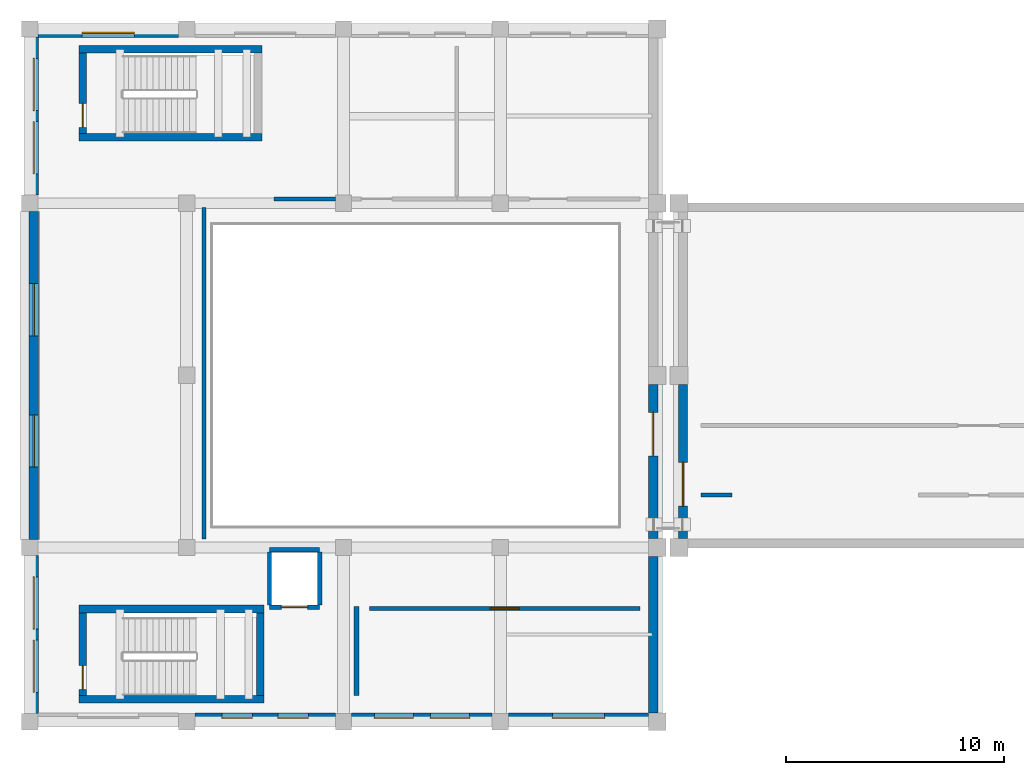
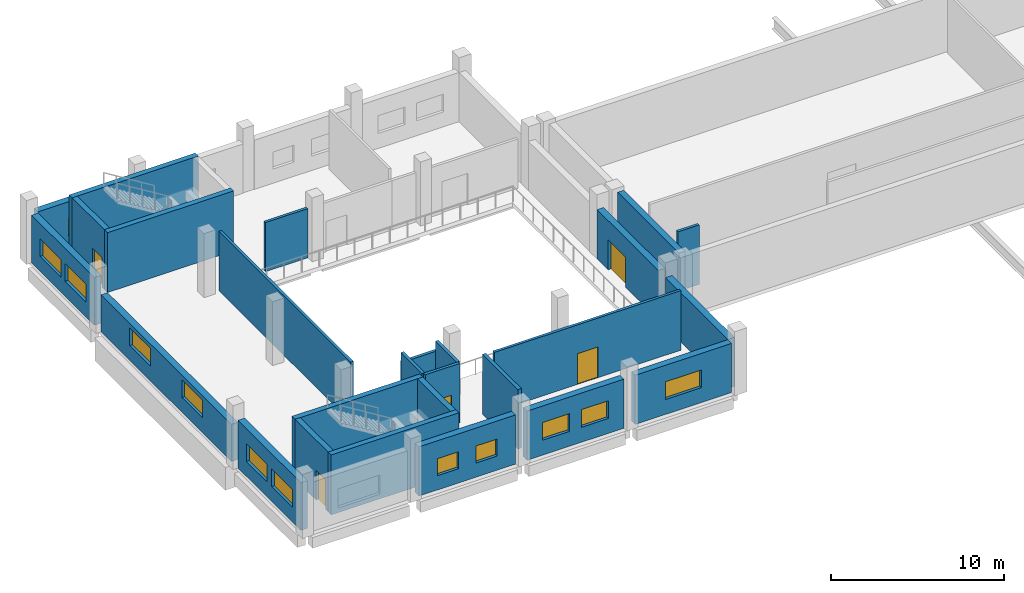
# One storey, part 3 of 7: 26 walls, 12 windows, 6 doors, 18 openings.
"""IFC4 building model written with IfcOpenShell, lengths in metres."""

from ifc_helpers import new_model, si_unit, direction, frame, frame_2d, origin, place, context, subcontext, project, spatial, rectangle, extrude, material, layer, layer_set, type_object, element, fill, save


model = new_model("IFC4")

# Units and contexts
model_context = context("Model", 3, precision=1e-05, world=origin(), true_north=direction((0.0, 1.0)))
body_context = subcontext(model_context, "Body", "Model", "MODEL_VIEW")
ifc_project = project(units=[si_unit("LENGTHUNIT", "METRE"), si_unit("AREAUNIT", "SQUARE_METRE"), si_unit("VOLUMEUNIT", "CUBIC_METRE"), si_unit("PLANEANGLEUNIT", "RADIAN"), si_unit("MASSUNIT", "GRAM", prefix="KILO")], contexts=[model_context])

# Site, building, storey
site_placement = place(None, origin())
site = spatial("IfcSite", under=ifc_project, at=site_placement, CompositionType="ELEMENT")
building_placement = place(site_placement, origin())
building = spatial("IfcBuilding", under=site, at=building_placement, Name="Kelarvand Opera House", CompositionType="ELEMENT")
storey_placement = place(building_placement, frame((0.0, 0.0, 24.0)))
storey = spatial("IfcBuildingStorey", under=building, at=storey_placement, Name="L05", CompositionType="ELEMENT", Elevation=24.0)

# Wall, opening, door
ifc_material_1 = material(Name="Concrete C35/45", Category="concrete")
ifc_layer_1 = layer(ifc_material_1, 0.39990234375, Name="Concrete C35/45", Category="concrete")
ifc_layer_set_1 = layer_set([ifc_layer_1], Name="Concrete C35/45")
wall_type_1 = type_object("IfcWallType", Name="Acoustic Brick-Travertine Double Wall 400", PredefinedType="SOLIDWALL", material=ifc_layer_set_1)
wall_1_placement = place(storey_placement, frame((89.179931640625, 55.010009765625, 0.0), z_axis=(0.0, 0.0, 1.0), x_axis=(0.0, 1.0, 0.0)))
wall_1 = element("IfcWall", 1, at=wall_1_placement, inside=storey, type_object=wall_type_1, Name="V1 L05 Exterior Wall EW-400 (173)", PredefinedType="SOLIDWALL", context=body_context, shape_type="SweptSolid", body=[
    extrude(rectangle(XDim=7.080078125, YDim=0.39990234375, at=frame_2d((3.5400390625, 0.0))), origin(), (0.0, 0.0, 1.0), 4.199951171875),
])
opening_1_placement = place(wall_1_placement, frame((1.489990234375, 0.0, 0.0)))
opening_1 = element("IfcOpeningElement", 2, at=opening_1_placement, cuts=wall_1, Name="Opening EX-200L", PredefinedType="OPENING", context=body_context, shape_type="SweptSolid", body=[
    extrude(rectangle(XDim=2.0, YDim=2.10009765625, at=frame_2d((1.0, 1.050048828125))), frame((0.0, 0.2099609375, 0.0), z_axis=(0.0, -1.0, 0.0), x_axis=(1.0, 0.0, 0.0)), (0.0, 0.0, 1.0), 0.419921875),
])
ifc_material_2 = material(Name="Thermally broken bronze-anodised aluminium and safety glass", Category="aluminium")
door_type_1 = type_object("IfcDoorType", Name="Protected Stair Double Final Exit Door 2000x2100", OperationType="NOTDEFINED", PredefinedType="DOOR", material=ifc_material_2)
door_1_placement = place(opening_1_placement, origin())
door_1 = element("IfcDoor", 3, at=door_1_placement, inside=storey, type_object=door_type_1, Name="V1 L05 Seismic Bridge Passage Door", OperationType="DOUBLE_DOOR_SINGLE_SWING", OverallHeight=2.10009765625, OverallWidth=2.0, PredefinedType="DOOR", context=body_context, shape_type="SweptSolid", body=[
    extrude(rectangle(XDim=2.0, YDim=2.10009765625, at=frame_2d((1.0, 1.050048828125))), frame((0.0, 0.02490234375, 0.0), z_axis=(0.0, -1.0, 0.0), x_axis=(1.0, 0.0, 0.0)), (0.0, 0.0, 1.0), 0.050048828125),
])
fill(opening_1, door_1)

# Walls
ifc_material_3 = material(Name="Concrete C40/50", Category="concrete")
ifc_layer_2 = layer(ifc_material_3, 0.35009765625, Name="Concrete C40/50", Category="concrete")
ifc_layer_set_2 = layer_set([ifc_layer_2], Name="Concrete C40/50")
wall_type_2 = type_object("IfcWallType", Name="Core Stair and Lift Shear Wall 350", PredefinedType="SHEAR", material=ifc_layer_set_2)
for number, where, z_axis, x_axis, name in (
    (4, (61.449951171875, 47.625, 0.0), (0.0, 0.0, 1.0), (1.0, 0.0, 0.0), "C2 Stair Core Shear Wall S L05"),
    (5, (69.949951171875, 51.77490234375, 0.0), (0.0, 0.0, 1.0), (-1.0, 0.0, 0.0), "C2 Stair Core Shear Wall N L05"),
):
    element("IfcWall", number, at=place(storey_placement, frame(where, z_axis=z_axis, x_axis=x_axis)), inside=storey, type_object=wall_type_2, Name=name, PredefinedType="SHEAR", context=body_context, shape_type="SweptSolid", body=[
        extrude(rectangle(XDim=8.5, YDim=0.35009765625, at=frame_2d((4.25, 0.0))), origin(), (0.0, 0.0, 1.0), 4.219970703125),
    ])

# Wall, opening, door
wall_2_placement = place(storey_placement, frame((61.625, 47.800048828125, 0.0), z_axis=(0.0, 0.0, 1.0), x_axis=(0.0, 1.0, 0.0)))
wall_2 = element("IfcWall", 6, at=wall_2_placement, inside=storey, type_object=wall_type_2, Name="C2 Stair Core Shear Wall W L05", PredefinedType="SHEAR", context=body_context, shape_type="SweptSolid", body=[
    extrude(rectangle(XDim=3.800048828125, YDim=0.35009765625, at=frame_2d((1.89990234375, 0.0))), origin(), (0.0, 0.0, 1.0), 4.219970703125),
])
opening_2_placement = place(wall_2_placement, frame((0.280029296875, 0.0, 0.0)))
opening_2 = element("IfcOpeningElement", 7, at=opening_2_placement, cuts=wall_2, Name="Opening FD-01", PredefinedType="OPENING", context=body_context, shape_type="SweptSolid", body=[
    extrude(rectangle(XDim=1.10009765625, YDim=2.080078125, at=frame_2d((0.550048828125, 1.0400390625))), frame((0.0, 0.18505859375, 0.0), z_axis=(0.0, -1.0, 0.0), x_axis=(1.0, 0.0, 0.0)), (0.0, 0.0, 1.0), 0.3701171875),
])
ifc_material_4 = material(Name="Fire-rated brushed stainless steel", Category="steel")
door_type_2 = type_object("IfcDoorType", Name="Steel Fire-Rated Stair and FF Lobby Door 1100x2080", OperationType="NOTDEFINED", PredefinedType="DOOR", material=ifc_material_4)
door_2_placement = place(opening_2_placement, origin())
door_2 = element("IfcDoor", 8, at=door_2_placement, inside=storey, type_object=door_type_2, Name="C2 Stair ST-02 Fire Door L05", OperationType="SINGLE_SWING_RIGHT", OverallHeight=2.080078125, OverallWidth=1.10009765625, PredefinedType="DOOR", context=body_context, shape_type="SweptSolid", body=[
    extrude(rectangle(XDim=1.10009765625, YDim=2.080078125, at=frame_2d((0.550048828125, 1.0400390625))), frame((0.0, 0.02490234375, 0.0), z_axis=(0.0, -1.0, 0.0), x_axis=(1.0, 0.0, 0.0)), (0.0, 0.0, 1.0), 0.050048828125),
])
fill(opening_2, door_2)

# Walls
wall_3_placement = place(storey_placement, frame((69.77490234375, 51.60009765625, 0.0), z_axis=(0.0, 0.0, 1.0), x_axis=(0.0, -1.0, 0.0)))
element("IfcWall", 9, at=wall_3_placement, inside=storey, type_object=wall_type_2, Name="C2 Stair Core Shear Wall E L05", PredefinedType="SHEAR", context=body_context, shape_type="SweptSolid", body=[
    extrude(rectangle(XDim=3.800048828125, YDim=0.35009765625, at=frame_2d((1.89990234375, 0.0))), origin(), (0.0, 0.0, 1.0), 4.219970703125),
])
for number, where, z_axis, x_axis, name in (
    (10, (61.449951171875, 73.425048828125, 0.0), (0.0, 0.0, 1.0), (1.0, 0.0, 0.0), "C3 Stair Core Shear Wall S L05"),
    (11, (69.85009765625, 77.47509765625, 0.0), (0.0, 0.0, 1.0), (-1.0, 0.0, 0.0), "C3 Stair Core Shear Wall N L05"),
):
    element("IfcWall", number, at=place(storey_placement, frame(where, z_axis=z_axis, x_axis=x_axis)), inside=storey, type_object=wall_type_2, Name=name, PredefinedType="SHEAR", context=body_context, shape_type="SweptSolid", body=[
        extrude(rectangle(XDim=8.400146484375, YDim=0.35009765625, at=frame_2d((4.2001953125, 0.0))), origin(), (0.0, 0.0, 1.0), 4.219970703125),
    ])

# Wall, opening, door
wall_4_placement = place(storey_placement, frame((61.625, 73.60009765625, 0.0), z_axis=(0.0, 0.0, 1.0), x_axis=(0.0, 1.0, 0.0)))
wall_4 = element("IfcWall", 12, at=wall_4_placement, inside=storey, type_object=wall_type_2, Name="C3 Stair Core Shear Wall W L05", PredefinedType="SHEAR", context=body_context, shape_type="SweptSolid", body=[
    extrude(rectangle(XDim=3.699951171875, YDim=0.35009765625, at=frame_2d((1.85009765625, 0.0))), origin(), (0.0, 0.0, 1.0), 4.219970703125),
])
opening_3_placement = place(wall_4_placement, frame((0.280029296875, 0.0, 0.0)))
opening_3 = element("IfcOpeningElement", 13, at=opening_3_placement, cuts=wall_4, Name="Opening FD-01", PredefinedType="OPENING", context=body_context, shape_type="SweptSolid", body=[
    extrude(rectangle(XDim=1.10009765625, YDim=2.080078125, at=frame_2d((0.550048828125, 1.0400390625))), frame((0.0, 0.18505859375, 0.0), z_axis=(0.0, -1.0, 0.0), x_axis=(1.0, 0.0, 0.0)), (0.0, 0.0, 1.0), 0.3701171875),
])
door_3_placement = place(opening_3_placement, origin())
door_3 = element("IfcDoor", 14, at=door_3_placement, inside=storey, type_object=door_type_2, Name="C3 Stair ST-03 Fire Door L05", OperationType="SINGLE_SWING_LEFT", OverallHeight=2.080078125, OverallWidth=1.10009765625, PredefinedType="DOOR", context=body_context, shape_type="SweptSolid", body=[
    extrude(rectangle(XDim=1.10009765625, YDim=2.080078125, at=frame_2d((0.550048828125, 1.0400390625))), frame((0.0, 0.02490234375, 0.0), z_axis=(0.0, -1.0, 0.0), x_axis=(1.0, 0.0, 0.0)), (0.0, 0.0, 1.0), 0.050048828125),
])
fill(opening_3, door_3)

# Walls
ifc_layer_3 = layer(ifc_material_1, 0.179931640625, Name="Concrete C35/45", Category="concrete")
ifc_layer_set_3 = layer_set([ifc_layer_3], Name="Concrete C35/45")
wall_type_3 = type_object("IfcWallType", Name="Corridor Fire-Rated Partition Wall 180 EI90", PredefinedType="PARTITIONING", material=ifc_layer_set_3)
wall_5_placement = place(storey_placement, frame((90.0, 57.0, 0.0), z_axis=(0.0, 0.0, 1.0), x_axis=(1.0, 0.0, 0.0)))
element("IfcWall", 15, at=wall_5_placement, inside=storey, type_object=wall_type_3, Name="V1 L05 Partition Wall IW-90 (666)", PredefinedType="PARTITIONING", context=body_context, shape_type="SweptSolid", body=[
    extrude(rectangle(XDim=1.419921875, YDim=0.179931640625, at=frame_2d((0.7099609375, 0.0))), origin(), (0.0, 0.0, 1.0), 4.19189453125),
])
wall_6_placement = place(storey_placement, frame((70.39990234375, 70.60009765625, 0.0), z_axis=(0.0, 0.0, 1.0), x_axis=(1.0, 0.0, 0.0)))
element("IfcWall", 16, at=wall_6_placement, inside=storey, type_object=wall_type_3, Name="V2 L05 Partition Wall IW-90 (671)", PredefinedType="PARTITIONING", context=body_context, shape_type="SweptSolid", body=[
    extrude(rectangle(XDim=2.8251953125, YDim=0.179931640625, at=frame_2d((1.41259765625, 0.0))), origin(), (0.0, 0.0, 1.0), 3.4619140625),
])
wall_7_placement = place(storey_placement, frame((67.199951171875, 55.0, 0.0), z_axis=(0.0, 0.0, 1.0), x_axis=(0.0, 1.0, 0.0)))
element("IfcWall", 17, at=wall_7_placement, inside=storey, type_object=wall_type_3, Name="V2 L05 Partition Wall IW-90 (676)", PredefinedType="PARTITIONING", context=body_context, shape_type="SweptSolid", body=[
    extrude(rectangle(XDim=15.199951171875, YDim=0.179931640625, at=frame_2d((7.60009765625, 0.0))), origin(), (0.0, 0.0, 1.0), 4.19189453125),
])

# Wall, opening, door
wall_8_placement = place(storey_placement, frame((74.800048828125, 51.800048828125, 0.0), z_axis=(0.0, 0.0, 1.0), x_axis=(1.0, 0.0, 0.0)))
wall_8 = element("IfcWall", 18, at=wall_8_placement, inside=storey, type_object=wall_type_3, Name="V2 L05 Partition Wall IW-90 (677)", PredefinedType="PARTITIONING", context=body_context, shape_type="SweptSolid", body=[
    extrude(rectangle(XDim=12.39990234375, YDim=0.179931640625, at=frame_2d((6.199951171875, 0.0))), origin(), (0.0, 0.0, 1.0), 4.19189453125),
])
opening_4_placement = place(wall_8_placement, frame((5.52490234375, 0.0, 0.0)))
opening_4 = element("IfcOpeningElement", 19, at=opening_4_placement, cuts=wall_8, Name="Opening D-12", PredefinedType="OPENING", context=body_context, shape_type="SweptSolid", body=[
    extrude(rectangle(XDim=1.35009765625, YDim=2.159912109375, at=frame_2d((0.675048828125, 1.080078125))), frame((0.0, 0.10009765625, 0.0), z_axis=(0.0, -1.0, 0.0), x_axis=(1.0, 0.0, 0.0)), (0.0, 0.0, 1.0), 0.199951171875),
])
ifc_material_5 = material(Name="Acoustic walnut-veneered hardwood", Category="wood")
door_type_3 = type_object("IfcDoorType", Name="Wardrobe Studio Leaf-and-Half Door 1350x2160", OperationType="NOTDEFINED", PredefinedType="DOOR", material=ifc_material_5)
door_4_placement = place(opening_4_placement, origin())
door_4 = element("IfcDoor", 20, at=door_4_placement, inside=storey, type_object=door_type_3, Name="V2 L05 Door D-12 (304)", OperationType="SINGLE_SWING_LEFT", OverallHeight=2.159912109375, OverallWidth=1.35009765625, PredefinedType="DOOR", context=body_context, shape_type="SweptSolid", body=[
    extrude(rectangle(XDim=1.35009765625, YDim=2.159912109375, at=frame_2d((0.675048828125, 1.080078125))), frame((0.0, 0.02490234375, 0.0), z_axis=(0.0, -1.0, 0.0), x_axis=(1.0, 0.0, 0.0)), (0.0, 0.0, 1.0), 0.050048828125),
])
fill(opening_4, door_4)

# Wall
ifc_layer_4 = layer(ifc_material_1, 0.239990234375, Name="Concrete C35/45", Category="concrete")
ifc_layer_set_4 = layer_set([ifc_layer_4], Name="Concrete C35/45")
wall_type_4 = type_object("IfcWallType", Name="Firefighting Lobby Partition Wall 240 EI120", PredefinedType="PARTITIONING", material=ifc_layer_set_4)
wall_9_placement = place(storey_placement, frame((74.199951171875, 51.89990234375, 0.0), z_axis=(0.0, 0.0, 1.0), x_axis=(0.0, -1.0, 0.0)))
element("IfcWall", 21, at=wall_9_placement, inside=storey, type_object=wall_type_4, Name="V2 L05 Partition Wall IW-120 (662)", PredefinedType="PARTITIONING", context=body_context, shape_type="SweptSolid", body=[
    extrude(rectangle(XDim=4.099853515625, YDim=0.239990234375, at=frame_2d((2.0498046875, 0.0))), origin(), (0.0, 0.0, 1.0), 4.19189453125),
])

# Wall, opening, door
ifc_layer_5 = layer(ifc_material_1, 0.199951171875, Name="Concrete C35/45", Category="concrete")
ifc_layer_set_5 = layer_set([ifc_layer_5], Name="Concrete C35/45")
wall_type_5 = type_object("IfcWallType", Name="Lift and Riser Shaft Enclosure Wall 200 EI120", PredefinedType="PARTITIONING", material=ifc_layer_set_5)
wall_10_placement = place(storey_placement, frame((70.199951171875, 51.85009765625, 0.0), z_axis=(0.0, 0.0, 1.0), x_axis=(1.0, 0.0, 0.0)))
wall_10 = element("IfcWall", 22, at=wall_10_placement, inside=storey, type_object=wall_type_5, Name="V2 L05 Partition Wall SW-200 (658)", PredefinedType="PARTITIONING", context=body_context, shape_type="SweptSolid", body=[
    extrude(rectangle(XDim=2.300048828125, YDim=0.199951171875, at=frame_2d((1.14990234375, 0.0))), origin(), (0.0, 0.0, 1.0), 4.19189453125),
])
opening_5_placement = place(wall_10_placement, frame((0.550048828125, 0.0, 0.0)))
opening_5 = element("IfcOpeningElement", 23, at=opening_5_placement, cuts=wall_10, Name="Opening LD-02", PredefinedType="OPENING", context=body_context, shape_type="SweptSolid", body=[
    extrude(rectangle(XDim=1.199951171875, YDim=2.14990234375, at=frame_2d((0.60009765625, 1.074951171875))), frame((0.0, 0.10986328125, 0.0), z_axis=(0.0, -1.0, 0.0), x_axis=(1.0, 0.0, 0.0)), (0.0, 0.0, 1.0), 0.219970703125),
])
door_type_4 = type_object("IfcDoorType", Name="Firefighting Lift Sliding Landing Door 1200x2150", OperationType="SLIDING_TO_LEFT", PredefinedType="DOOR", material=ifc_material_4)
door_5_placement = place(opening_5_placement, origin())
door_5 = element("IfcDoor", 24, at=door_5_placement, inside=storey, type_object=door_type_4, Name="V2 L05 Door LD-02 (297)", OperationType="SLIDING_TO_LEFT", OverallHeight=2.14990234375, OverallWidth=1.199951171875, PredefinedType="DOOR", context=body_context, shape_type="SweptSolid", body=[
    extrude(rectangle(XDim=1.199951171875, YDim=2.14990234375, at=frame_2d((0.60009765625, 1.074951171875))), frame((0.0, 0.02490234375, 0.0), z_axis=(0.0, -1.0, 0.0), x_axis=(1.0, 0.0, 0.0)), (0.0, 0.0, 1.0), 0.050048828125),
])
fill(opening_5, door_5)

# Walls
wall_11_placement = place(storey_placement, frame((72.5, 54.5, 0.0), z_axis=(0.0, 0.0, 1.0), x_axis=(-1.0, 0.0, 0.0)))
element("IfcWall", 25, at=wall_11_placement, inside=storey, type_object=wall_type_5, Name="V2 L05 Partition Wall SW-200 (659)", PredefinedType="PARTITIONING", context=body_context, shape_type="SweptSolid", body=[
    extrude(rectangle(XDim=2.300048828125, YDim=0.199951171875, at=frame_2d((1.14990234375, 0.0))), origin(), (0.0, 0.0, 1.0), 3.4619140625),
])
for number, where, z_axis, x_axis, name in (
    (26, (70.199951171875, 51.949951171875, 0.0), (0.0, 0.0, 1.0), (0.0, 1.0, 0.0), "V2 L05 Partition Wall SW-200 (660)"),
    (27, (72.5, 54.39990234375, 0.0), (0.0, 0.0, 1.0), (0.0, -1.0, 0.0), "V2 L05 Partition Wall SW-200 (661)"),
):
    element("IfcWall", number, at=place(storey_placement, frame(where, z_axis=z_axis, x_axis=x_axis)), inside=storey, type_object=wall_type_5, Name=name, PredefinedType="PARTITIONING", context=body_context, shape_type="SweptSolid", body=[
        extrude(rectangle(XDim=2.449951171875, YDim=0.199951171875, at=frame_2d((1.22509765625, 0.0))), origin(), (0.0, 0.0, 1.0), 4.19189453125),
    ])

# Wall, opening, door
ifc_layer_6 = layer(ifc_material_1, 0.43994140625, Name="Concrete C35/45", Category="concrete")
ifc_layer_set_6 = layer_set([ifc_layer_6], Name="Concrete C35/45")
wall_type_6 = type_object("IfcWallType", Name="Stage House Acoustic Cavity Wall 440", PredefinedType="SOLIDWALL", material=ifc_layer_set_6)
wall_12_placement = place(storey_placement, frame((87.820068359375, 62.090087890625, 0.0), z_axis=(0.0, 0.0, 1.0), x_axis=(0.0, -1.0, 0.0)))
wall_12 = element("IfcWall", 28, at=wall_12_placement, inside=storey, type_object=wall_type_6, Name="V2 L05 Exterior Wall EW-440 (319)", PredefinedType="SOLIDWALL", context=body_context, shape_type="SweptSolid", body=[
    extrude(rectangle(XDim=7.080078125, YDim=0.43994140625, at=frame_2d((3.5400390625, 0.0))), origin(), (0.0, 0.0, 1.0), 3.4619140625),
])
opening_6_placement = place(wall_12_placement, frame((1.2900390625, 0.0, 0.0)))
opening_6 = element("IfcOpeningElement", 29, at=opening_6_placement, cuts=wall_12, Name="Opening EX-200L", PredefinedType="OPENING", context=body_context, shape_type="SweptSolid", body=[
    extrude(rectangle(XDim=2.0, YDim=2.10009765625, at=frame_2d((1.0, 1.050048828125))), frame((0.0, 0.22998046875, 0.0), z_axis=(0.0, -1.0, 0.0), x_axis=(1.0, 0.0, 0.0)), (0.0, 0.0, 1.0), 0.4599609375),
])
door_6_placement = place(opening_6_placement, origin())
door_6 = element("IfcDoor", 30, at=door_6_placement, inside=storey, type_object=door_type_1, Name="V2 L05 Seismic Bridge Passage Door", OperationType="DOUBLE_DOOR_SINGLE_SWING", OverallHeight=2.10009765625, OverallWidth=2.0, PredefinedType="DOOR", context=body_context, shape_type="SweptSolid", body=[
    extrude(rectangle(XDim=2.0, YDim=2.10009765625, at=frame_2d((1.0, 1.050048828125))), frame((0.0, 0.02490234375, 0.0), z_axis=(0.0, -1.0, 0.0), x_axis=(1.0, 0.0, 0.0)), (0.0, 0.0, 1.0), 0.050048828125),
])
fill(opening_6, door_6)

# Wall
wall_13_placement = place(storey_placement, frame((87.820068359375, 54.18994140625, 0.0), z_axis=(0.0, 0.0, 1.0), x_axis=(0.0, -1.0, 0.0)))
element("IfcWall", 31, at=wall_13_placement, inside=storey, type_object=wall_type_6, Name="V2 L05 Exterior Wall EW-440 (320)", PredefinedType="SOLIDWALL", context=body_context, shape_type="SweptSolid", body=[
    extrude(rectangle(XDim=7.179931640625, YDim=0.43994140625, at=frame_2d((3.58984375, 0.0))), origin(), (0.0, 0.0, 1.0), 3.4619140625),
])

# Wall, opening, window
wall_14_placement = place(storey_placement, frame((59.574951171875, 78.219970703125, 0.0), z_axis=(0.0, 0.0, 1.0), x_axis=(1.0, 0.0, 0.0)))
wall_14 = element("IfcWall", 32, at=wall_14_placement, inside=storey, type_object=wall_type_6, Name="V2 L05 Exterior Wall EW-440 (321)", PredefinedType="SOLIDWALL", context=body_context, shape_type="SweptSolid", body=[
    extrude(rectangle(XDim=6.449951171875, YDim=0.43994140625, at=frame_2d((3.22509765625, 0.0))), origin(), (0.0, 0.0, 1.0), 3.4619140625),
])
opening_7_placement = place(wall_14_placement, frame((2.02490234375, 0.0, 1.050048828125)))
opening_7 = element("IfcOpeningElement", 33, at=opening_7_placement, cuts=wall_14, Name="Opening WN-22", PredefinedType="OPENING", context=body_context, shape_type="SweptSolid", body=[
    extrude(rectangle(XDim=2.39990234375, YDim=1.25, at=frame_2d((1.199951171875, 0.625))), frame((0.0, 0.22998046875, 0.0), z_axis=(0.0, -1.0, 0.0), x_axis=(1.0, 0.0, 0.0)), (0.0, 0.0, 1.0), 0.4599609375),
])
ifc_material_6 = material(Name="Thermally broken aluminium and low-E double glazing", Category="aluminium")
window_type_1 = type_object("IfcWindowType", Name="Recessed Aluminium Thermal Window 2400x1250 WN-22", PartitioningType="SINGLE_PANEL", PredefinedType="WINDOW", material=ifc_material_6)
window_1_placement = place(opening_7_placement, origin())
window_1 = element("IfcWindow", 34, at=window_1_placement, inside=storey, type_object=window_type_1, Name="V2 L05 Facade Window WN-22 (104)", OverallHeight=1.25, OverallWidth=2.39990234375, PartitioningType="SINGLE_PANEL", PredefinedType="WINDOW", context=body_context, shape_type="SweptSolid", body=[
    extrude(rectangle(XDim=2.39990234375, YDim=1.25, at=frame_2d((1.199951171875, 0.625))), frame((0.0, 0.030029296875, 0.0), z_axis=(0.0, -1.0, 0.0), x_axis=(1.0, 0.0, 0.0)), (0.0, 0.0, 1.0), 0.06005859375),
])
fill(opening_7, window_1)

# Wall, openings, windows
wall_15_placement = place(storey_placement, frame((59.3798828125, 46.97509765625, 0.0), z_axis=(0.0, 0.0, 1.0), x_axis=(0.0, 1.0, 0.0)))
wall_15 = element("IfcWall", 35, at=wall_15_placement, inside=storey, type_object=wall_type_6, Name="V2 L05 Exterior Wall EW-440 (325)", PredefinedType="SOLIDWALL", context=body_context, shape_type="SweptSolid", body=[
    extrude(rectangle(XDim=7.25, YDim=0.43994140625, at=frame_2d((3.625, 0.0))), origin(), (0.0, 0.0, 1.0), 3.362060546875),
])
opening_8_placement = place(wall_15_placement, frame((0.97509765625, 0.0, 1.050048828125)))
opening_8 = element("IfcOpeningElement", 36, at=opening_8_placement, cuts=wall_15, Name="Opening WN-22", PredefinedType="OPENING", context=body_context, shape_type="SweptSolid", body=[
    extrude(rectangle(XDim=2.39990234375, YDim=1.25, at=frame_2d((1.199951171875, 0.625))), frame((0.0, 0.22998046875, 0.0), z_axis=(0.0, -1.0, 0.0), x_axis=(1.0, 0.0, 0.0)), (0.0, 0.0, 1.0), 0.4599609375),
])
opening_9_placement = place(wall_15_placement, frame((3.875, 0.0, 1.050048828125)))
opening_9 = element("IfcOpeningElement", 37, at=opening_9_placement, cuts=wall_15, Name="Opening WN-22", PredefinedType="OPENING", context=body_context, shape_type="SweptSolid", body=[
    extrude(rectangle(XDim=2.39990234375, YDim=1.25, at=frame_2d((1.199951171875, 0.625))), frame((0.0, 0.22998046875, 0.0), z_axis=(0.0, -1.0, 0.0), x_axis=(1.0, 0.0, 0.0)), (0.0, 0.0, 1.0), 0.4599609375),
])
window_2_placement = place(opening_8_placement, origin())
window_2 = element("IfcWindow", 38, at=window_2_placement, inside=storey, type_object=window_type_1, Name="V2 L05 Facade Window WN-22 (110)", OverallHeight=1.25, OverallWidth=2.39990234375, PartitioningType="SINGLE_PANEL", PredefinedType="WINDOW", context=body_context, shape_type="SweptSolid", body=[
    extrude(rectangle(XDim=2.39990234375, YDim=1.25, at=frame_2d((1.199951171875, 0.625))), frame((0.0, 0.030029296875, 0.0), z_axis=(0.0, -1.0, 0.0), x_axis=(1.0, 0.0, 0.0)), (0.0, 0.0, 1.0), 0.06005859375),
])
fill(opening_8, window_2)
window_3_placement = place(opening_9_placement, origin())
window_3 = element("IfcWindow", 39, at=window_3_placement, inside=storey, type_object=window_type_1, Name="V2 L05 Facade Window WN-22 (111)", OverallHeight=1.25, OverallWidth=2.39990234375, PartitioningType="SINGLE_PANEL", PredefinedType="WINDOW", context=body_context, shape_type="SweptSolid", body=[
    extrude(rectangle(XDim=2.39990234375, YDim=1.25, at=frame_2d((1.199951171875, 0.625))), frame((0.0, 0.030029296875, 0.0), z_axis=(0.0, -1.0, 0.0), x_axis=(1.0, 0.0, 0.0)), (0.0, 0.0, 1.0), 0.06005859375),
])
fill(opening_9, window_3)

wall_16_placement = place(storey_placement, frame((59.3798828125, 54.97509765625, 0.0), z_axis=(0.0, 0.0, 1.0), x_axis=(0.0, 1.0, 0.0)))
wall_16 = element("IfcWall", 40, at=wall_16_placement, inside=storey, type_object=wall_type_6, Name="V2 L05 Exterior Wall EW-440 (326)", PredefinedType="SOLIDWALL", context=body_context, shape_type="SweptSolid", body=[
    extrude(rectangle(XDim=15.0498046875, YDim=0.43994140625, at=frame_2d((7.52490234375, 0.0))), origin(), (0.0, 0.0, 1.0), 2.612060546875),
])
opening_10_placement = place(wall_16_placement, frame((3.31494140625, 0.0, 1.050048828125)))
opening_10 = element("IfcOpeningElement", 41, at=opening_10_placement, cuts=wall_16, Name="Opening WN-22", PredefinedType="OPENING", context=body_context, shape_type="SweptSolid", body=[
    extrude(rectangle(XDim=2.39990234375, YDim=1.25, at=frame_2d((1.199951171875, 0.625))), frame((0.0, 0.22998046875, 0.0), z_axis=(0.0, -1.0, 0.0), x_axis=(1.0, 0.0, 0.0)), (0.0, 0.0, 1.0), 0.4599609375),
])
opening_11_placement = place(wall_16_placement, frame((9.3349609375, 0.0, 1.050048828125)))
opening_11 = element("IfcOpeningElement", 42, at=opening_11_placement, cuts=wall_16, Name="Opening WN-22", PredefinedType="OPENING", context=body_context, shape_type="SweptSolid", body=[
    extrude(rectangle(XDim=2.39990234375, YDim=1.25, at=frame_2d((1.199951171875, 0.625))), frame((0.0, 0.22998046875, 0.0), z_axis=(0.0, -1.0, 0.0), x_axis=(1.0, 0.0, 0.0)), (0.0, 0.0, 1.0), 0.4599609375),
])
window_4_placement = place(opening_10_placement, origin())
window_4 = element("IfcWindow", 43, at=window_4_placement, inside=storey, type_object=window_type_1, Name="V2 L05 Facade Window WN-22 (112)", OverallHeight=1.25, OverallWidth=2.39990234375, PartitioningType="SINGLE_PANEL", PredefinedType="WINDOW", context=body_context, shape_type="SweptSolid", body=[
    extrude(rectangle(XDim=2.39990234375, YDim=1.25, at=frame_2d((1.199951171875, 0.625))), frame((0.0, 0.030029296875, 0.0), z_axis=(0.0, -1.0, 0.0), x_axis=(1.0, 0.0, 0.0)), (0.0, 0.0, 1.0), 0.06005859375),
])
fill(opening_10, window_4)
window_5_placement = place(opening_11_placement, origin())
window_5 = element("IfcWindow", 44, at=window_5_placement, inside=storey, type_object=window_type_1, Name="V2 L05 Facade Window WN-22 (113)", OverallHeight=1.25, OverallWidth=2.39990234375, PartitioningType="SINGLE_PANEL", PredefinedType="WINDOW", context=body_context, shape_type="SweptSolid", body=[
    extrude(rectangle(XDim=2.39990234375, YDim=1.25, at=frame_2d((1.199951171875, 0.625))), frame((0.0, 0.030029296875, 0.0), z_axis=(0.0, -1.0, 0.0), x_axis=(1.0, 0.0, 0.0)), (0.0, 0.0, 1.0), 0.06005859375),
])
fill(opening_11, window_5)

wall_17_placement = place(storey_placement, frame((59.3798828125, 70.77490234375, 0.0), z_axis=(0.0, 0.0, 1.0), x_axis=(0.0, 1.0, 0.0)))
wall_17 = element("IfcWall", 45, at=wall_17_placement, inside=storey, type_object=wall_type_6, Name="V2 L05 Exterior Wall EW-440 (327)", PredefinedType="SOLIDWALL", context=body_context, shape_type="SweptSolid", body=[
    extrude(rectangle(XDim=7.25, YDim=0.43994140625, at=frame_2d((3.625, 0.0))), origin(), (0.0, 0.0, 1.0), 3.362060546875),
])
opening_12_placement = place(wall_17_placement, frame((0.97509765625, 0.0, 1.050048828125)))
opening_12 = element("IfcOpeningElement", 46, at=opening_12_placement, cuts=wall_17, Name="Opening WN-22", PredefinedType="OPENING", context=body_context, shape_type="SweptSolid", body=[
    extrude(rectangle(XDim=2.39990234375, YDim=1.25, at=frame_2d((1.199951171875, 0.625))), frame((0.0, 0.22998046875, 0.0), z_axis=(0.0, -1.0, 0.0), x_axis=(1.0, 0.0, 0.0)), (0.0, 0.0, 1.0), 0.4599609375),
])
opening_13_placement = place(wall_17_placement, frame((3.875, 0.0, 1.050048828125)))
opening_13 = element("IfcOpeningElement", 47, at=opening_13_placement, cuts=wall_17, Name="Opening WN-22", PredefinedType="OPENING", context=body_context, shape_type="SweptSolid", body=[
    extrude(rectangle(XDim=2.39990234375, YDim=1.25, at=frame_2d((1.199951171875, 0.625))), frame((0.0, 0.22998046875, 0.0), z_axis=(0.0, -1.0, 0.0), x_axis=(1.0, 0.0, 0.0)), (0.0, 0.0, 1.0), 0.4599609375),
])
window_6_placement = place(opening_12_placement, origin())
window_6 = element("IfcWindow", 48, at=window_6_placement, inside=storey, type_object=window_type_1, Name="V2 L05 Facade Window WN-22 (114)", OverallHeight=1.25, OverallWidth=2.39990234375, PartitioningType="SINGLE_PANEL", PredefinedType="WINDOW", context=body_context, shape_type="SweptSolid", body=[
    extrude(rectangle(XDim=2.39990234375, YDim=1.25, at=frame_2d((1.199951171875, 0.625))), frame((0.0, 0.030029296875, 0.0), z_axis=(0.0, -1.0, 0.0), x_axis=(1.0, 0.0, 0.0)), (0.0, 0.0, 1.0), 0.06005859375),
])
fill(opening_12, window_6)
window_7_placement = place(opening_13_placement, origin())
window_7 = element("IfcWindow", 49, at=window_7_placement, inside=storey, type_object=window_type_1, Name="V2 L05 Facade Window WN-22 (115)", OverallHeight=1.25, OverallWidth=2.39990234375, PartitioningType="SINGLE_PANEL", PredefinedType="WINDOW", context=body_context, shape_type="SweptSolid", body=[
    extrude(rectangle(XDim=2.39990234375, YDim=1.25, at=frame_2d((1.199951171875, 0.625))), frame((0.0, 0.030029296875, 0.0), z_axis=(0.0, -1.0, 0.0), x_axis=(1.0, 0.0, 0.0)), (0.0, 0.0, 1.0), 0.06005859375),
])
fill(opening_13, window_7)

# Wall, opening, window
wall_18_placement = place(storey_placement, frame((87.590087890625, 46.780029296875, 0.0), z_axis=(0.0, 0.0, 1.0), x_axis=(-1.0, 0.0, 0.0)))
wall_18 = element("IfcWall", 50, at=wall_18_placement, inside=storey, type_object=wall_type_6, Name="V2 L05 Exterior Wall EW-440 (328)", PredefinedType="SOLIDWALL", context=body_context, shape_type="SweptSolid", body=[
    extrude(rectangle(XDim=6.4150390625, YDim=0.43994140625, at=frame_2d((3.20751953125, 0.0))), origin(), (0.0, 0.0, 1.0), 3.4619140625),
])
opening_14_placement = place(wall_18_placement, frame((2.008056640625, 0.0, 1.050048828125)))
opening_14 = element("IfcOpeningElement", 51, at=opening_14_placement, cuts=wall_18, Name="Opening WN-22", PredefinedType="OPENING", context=body_context, shape_type="SweptSolid", body=[
    extrude(rectangle(XDim=2.39990234375, YDim=1.25, at=frame_2d((1.199951171875, 0.625))), frame((0.0, 0.22998046875, 0.0), z_axis=(0.0, -1.0, 0.0), x_axis=(1.0, 0.0, 0.0)), (0.0, 0.0, 1.0), 0.4599609375),
])
window_8_placement = place(opening_14_placement, origin())
window_8 = element("IfcWindow", 52, at=window_8_placement, inside=storey, type_object=window_type_1, Name="V2 L05 Facade Window WN-22 (116)", OverallHeight=1.25, OverallWidth=2.39990234375, PartitioningType="SINGLE_PANEL", PredefinedType="WINDOW", context=body_context, shape_type="SweptSolid", body=[
    extrude(rectangle(XDim=2.39990234375, YDim=1.25, at=frame_2d((1.199951171875, 0.625))), frame((0.0, 0.030029296875, 0.0), z_axis=(0.0, -1.0, 0.0), x_axis=(1.0, 0.0, 0.0)), (0.0, 0.0, 1.0), 0.06005859375),
])
fill(opening_14, window_8)

# Wall, openings, windows
wall_19_placement = place(storey_placement, frame((80.425048828125, 46.780029296875, 0.0), z_axis=(0.0, 0.0, 1.0), x_axis=(-1.0, 0.0, 0.0)))
wall_19 = element("IfcWall", 53, at=wall_19_placement, inside=storey, type_object=wall_type_6, Name="V2 L05 Exterior Wall EW-440 (329)", PredefinedType="SOLIDWALL", context=body_context, shape_type="SweptSolid", body=[
    extrude(rectangle(XDim=6.449951171875, YDim=0.43994140625, at=frame_2d((3.22509765625, 0.0))), origin(), (0.0, 0.0, 1.0), 3.4619140625),
])
opening_15_placement = place(wall_19_placement, frame((1.034912109375, 0.0, 1.050048828125)))
opening_15 = element("IfcOpeningElement", 54, at=opening_15_placement, cuts=wall_19, Name="Opening WN-23", PredefinedType="OPENING", context=body_context, shape_type="SweptSolid", body=[
    extrude(rectangle(XDim=1.800048828125, YDim=1.25, at=frame_2d((0.89990234375, 0.625))), frame((0.0, 0.22998046875, 0.0), z_axis=(0.0, -1.0, 0.0), x_axis=(1.0, 0.0, 0.0)), (0.0, 0.0, 1.0), 0.4599609375),
])
opening_16_placement = place(wall_19_placement, frame((3.614990234375, 0.0, 1.050048828125)))
opening_16 = element("IfcOpeningElement", 55, at=opening_16_placement, cuts=wall_19, Name="Opening WN-23", PredefinedType="OPENING", context=body_context, shape_type="SweptSolid", body=[
    extrude(rectangle(XDim=1.800048828125, YDim=1.25, at=frame_2d((0.89990234375, 0.625))), frame((0.0, 0.22998046875, 0.0), z_axis=(0.0, -1.0, 0.0), x_axis=(1.0, 0.0, 0.0)), (0.0, 0.0, 1.0), 0.4599609375),
])
window_type_2 = type_object("IfcWindowType", Name="Recessed Aluminium Thermal Window 1800x1250 WN-23", PartitioningType="SINGLE_PANEL", PredefinedType="WINDOW", material=ifc_material_6)
window_9_placement = place(opening_15_placement, origin())
window_9 = element("IfcWindow", 56, at=window_9_placement, inside=storey, type_object=window_type_2, Name="V2 L05 Facade Window WN-23 (117)", OverallHeight=1.25, OverallWidth=1.800048828125, PartitioningType="SINGLE_PANEL", PredefinedType="WINDOW", context=body_context, shape_type="SweptSolid", body=[
    extrude(rectangle(XDim=1.800048828125, YDim=1.25, at=frame_2d((0.89990234375, 0.625))), frame((0.0, 0.030029296875, 0.0), z_axis=(0.0, -1.0, 0.0), x_axis=(1.0, 0.0, 0.0)), (0.0, 0.0, 1.0), 0.06005859375),
])
fill(opening_15, window_9)
window_10_placement = place(opening_16_placement, origin())
window_10 = element("IfcWindow", 57, at=window_10_placement, inside=storey, type_object=window_type_2, Name="V2 L05 Facade Window WN-23 (118)", OverallHeight=1.25, OverallWidth=1.800048828125, PartitioningType="SINGLE_PANEL", PredefinedType="WINDOW", context=body_context, shape_type="SweptSolid", body=[
    extrude(rectangle(XDim=1.800048828125, YDim=1.25, at=frame_2d((0.89990234375, 0.625))), frame((0.0, 0.030029296875, 0.0), z_axis=(0.0, -1.0, 0.0), x_axis=(1.0, 0.0, 0.0)), (0.0, 0.0, 1.0), 0.06005859375),
])
fill(opening_16, window_10)

wall_20_placement = place(storey_placement, frame((73.22509765625, 46.780029296875, 0.0), z_axis=(0.0, 0.0, 1.0), x_axis=(-1.0, 0.0, 0.0)))
wall_20 = element("IfcWall", 58, at=wall_20_placement, inside=storey, type_object=wall_type_6, Name="V2 L05 Exterior Wall EW-440 (330)", PredefinedType="SOLIDWALL", context=body_context, shape_type="SweptSolid", body=[
    extrude(rectangle(XDim=6.4501953125, YDim=0.43994140625, at=frame_2d((3.22509765625, 0.0))), origin(), (0.0, 0.0, 1.0), 3.4619140625),
])
opening_17_placement = place(wall_20_placement, frame((1.235107421875, 0.0, 1.0)))
opening_17 = element("IfcOpeningElement", 59, at=opening_17_placement, cuts=wall_20, Name="Opening WN-24", PredefinedType="OPENING", context=body_context, shape_type="SweptSolid", body=[
    extrude(rectangle(XDim=1.39990234375, YDim=1.199951171875, at=frame_2d((0.699951171875, 0.60009765625))), frame((0.0, 0.22998046875, 0.0), z_axis=(0.0, -1.0, 0.0), x_axis=(1.0, 0.0, 0.0)), (0.0, 0.0, 1.0), 0.4599609375),
])
opening_18_placement = place(wall_20_placement, frame((3.81494140625, 0.0, 1.0)))
opening_18 = element("IfcOpeningElement", 60, at=opening_18_placement, cuts=wall_20, Name="Opening WN-24", PredefinedType="OPENING", context=body_context, shape_type="SweptSolid", body=[
    extrude(rectangle(XDim=1.39990234375, YDim=1.199951171875, at=frame_2d((0.699951171875, 0.60009765625))), frame((0.0, 0.22998046875, 0.0), z_axis=(0.0, -1.0, 0.0), x_axis=(1.0, 0.0, 0.0)), (0.0, 0.0, 1.0), 0.4599609375),
])
window_type_3 = type_object("IfcWindowType", Name="Recessed Aluminium Thermal Window 1400x1200 WN-24", PartitioningType="SINGLE_PANEL", PredefinedType="WINDOW", material=ifc_material_6)
window_11_placement = place(opening_17_placement, origin())
window_11 = element("IfcWindow", 61, at=window_11_placement, inside=storey, type_object=window_type_3, Name="V2 L05 Facade Window WN-24 (119)", OverallHeight=1.199951171875, OverallWidth=1.39990234375, PartitioningType="SINGLE_PANEL", PredefinedType="WINDOW", context=body_context, shape_type="SweptSolid", body=[
    extrude(rectangle(XDim=1.39990234375, YDim=1.199951171875, at=frame_2d((0.699951171875, 0.60009765625))), frame((0.0, 0.030029296875, 0.0), z_axis=(0.0, -1.0, 0.0), x_axis=(1.0, 0.0, 0.0)), (0.0, 0.0, 1.0), 0.06005859375),
])
fill(opening_17, window_11)
window_12_placement = place(opening_18_placement, origin())
window_12 = element("IfcWindow", 62, at=window_12_placement, inside=storey, type_object=window_type_3, Name="V2 L05 Facade Window WN-24 (120)", OverallHeight=1.199951171875, OverallWidth=1.39990234375, PartitioningType="SINGLE_PANEL", PredefinedType="WINDOW", context=body_context, shape_type="SweptSolid", body=[
    extrude(rectangle(XDim=1.39990234375, YDim=1.199951171875, at=frame_2d((0.699951171875, 0.60009765625))), frame((0.0, 0.030029296875, 0.0), z_axis=(0.0, -1.0, 0.0), x_axis=(1.0, 0.0, 0.0)), (0.0, 0.0, 1.0), 0.06005859375),
])
fill(opening_18, window_12)

save(model, "model.ifc")
